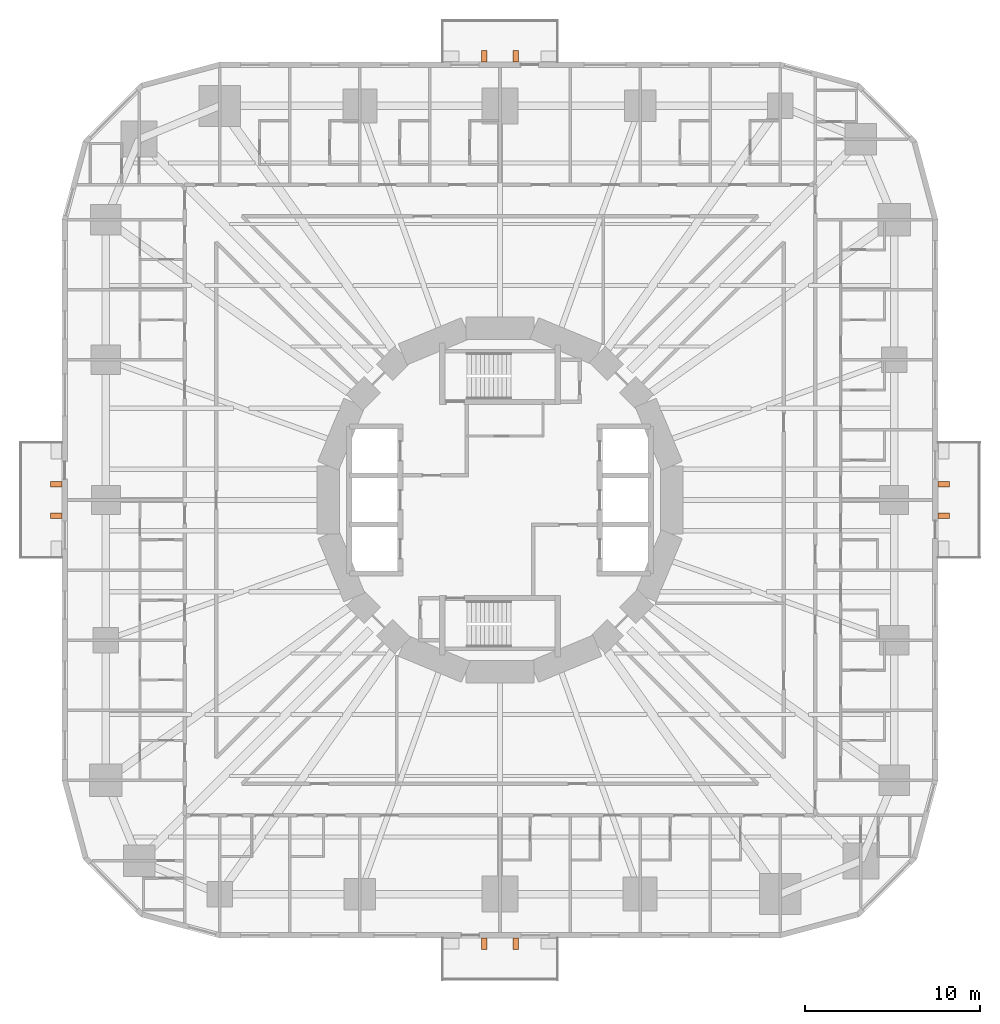
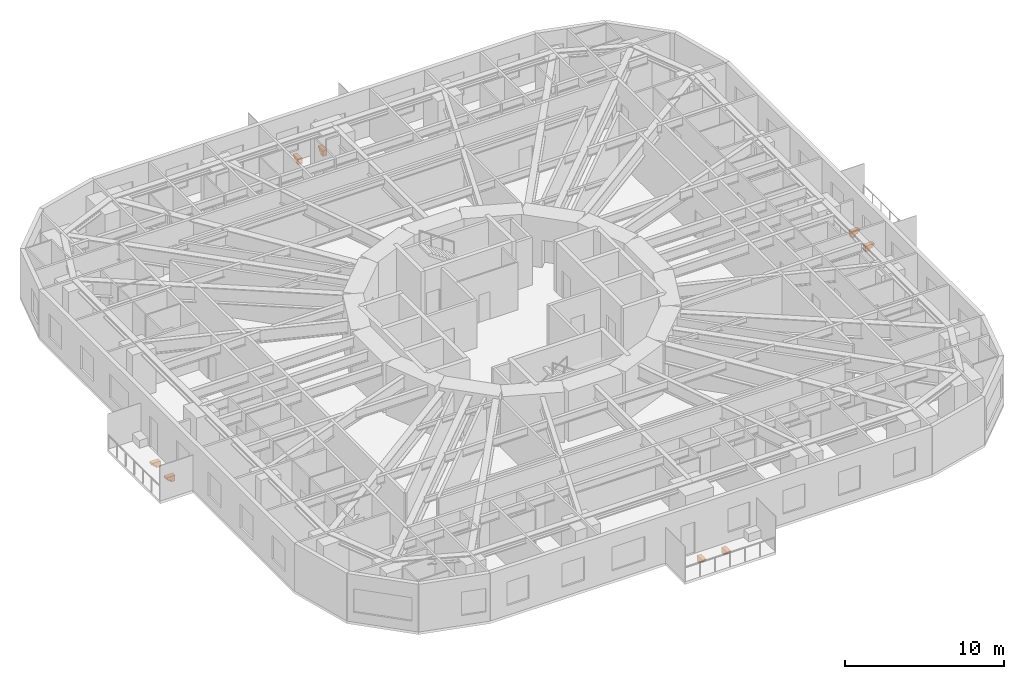
# One storey, part 14 of 14: 8 proxies.
"""IFC4 building model written with IfcOpenShell, lengths in metres."""

from ifc_helpers import new_model, si_unit, direction, frame, origin, place, context, subcontext, project, spatial, polyline, outline, extrude, material, type_object, element, save


model = new_model("IFC4")

# Units and contexts
model_context = context("Model", 3, precision=1e-05, world=origin(), true_north=direction((0.0, 1.0)))
body_context = subcontext(model_context, "Body", "Model", "MODEL_VIEW")
ifc_project = project(units=[si_unit("LENGTHUNIT", "METRE"), si_unit("AREAUNIT", "SQUARE_METRE"), si_unit("VOLUMEUNIT", "CUBIC_METRE"), si_unit("PLANEANGLEUNIT", "RADIAN"), si_unit("MASSUNIT", "GRAM", prefix="KILO")], contexts=[model_context])

# Site, building, storey
site_placement = place(None, origin())
site = spatial("IfcSite", under=ifc_project, at=site_placement, CompositionType="ELEMENT")
building_placement = place(site_placement, origin())
building = spatial("IfcBuilding", under=site, at=building_placement, Name="Nakasero Lantern House", CompositionType="ELEMENT")
storey_placement = place(building_placement, frame((0.0, 0.0, 50.64990234375)))
storey = spatial("IfcBuildingStorey", under=building, at=storey_placement, Name="L12", CompositionType="ELEMENT", Elevation=50.64990234375)

# Proxies
ifc_material = material(Name="Concrete C40/50 precast", Category="concrete")
building_element_proxy_type = type_object("IfcBuildingElementProxyType", Name="Balcony bracket 300", PredefinedType="USERDEFINED", material=ifc_material)
for number, where, z_axis, x_axis, name in (
    (1, (25.0, -0.89990234375, -0.199951171875), (0.0, 0.0, 1.0), (1.0, 0.0, 0.0), "Balcony bracket L12 0A"),
    (2, (25.0, 0.89990234375, -0.199951171875), (0.0, 0.0, 1.0), (1.0, 0.0, 0.0), "Balcony bracket L12 0B"),
    (3, (0.89990234375, 25.0, -0.199951171875), (0.0, 0.0, 1.0), (0.0, 1.0, 0.0), "Balcony bracket L12 1A"),
    (4, (-0.89990234375, 25.0, -0.199951171875), (0.0, 0.0, 1.0), (0.0, 1.0, 0.0), "Balcony bracket L12 1B"),
    (5, (-25.0, 0.89990234375, -0.199951171875), (0.0, 0.0, 1.0), (-1.0, 0.0, 0.0), "Balcony bracket L12 2A"),
    (6, (-25.0, -0.89990234375, -0.199951171875), (0.0, 0.0, 1.0), (-1.0, 0.0, 0.0), "Balcony bracket L12 2B"),
    (7, (-0.89990234375, -25.0, -0.199951171875), (0.0, 0.0, 1.0), (0.0, -1.0, 0.0), "Balcony bracket L12 3A"),
    (8, (0.89990234375, -25.0, -0.199951171875), (0.0, 0.0, 1.0), (0.0, -1.0, 0.0), "Balcony bracket L12 3B"),
):
    element("IfcBuildingElementProxy", number, at=place(storey_placement, frame(where, z_axis=z_axis, x_axis=x_axis)), inside=storey, type_object=building_element_proxy_type, Name=name, ObjectType="BALCONY BRACKET", PredefinedType="USERDEFINED", context=body_context, shape_type="SweptSolid", body=[
        extrude(outline(polyline([(0.0, 0.0), (0.64990234375, 0.0), (0.64990234375, -0.1201171875), (0.5, -0.1201171875), (0.5, -0.280029296875), (0.300048828125, -0.280029296875), (0.300048828125, -0.43994140625), (0.0, -0.43994140625), (0.0, 0.0)])), frame((0.0, 0.14990234375, 0.0), z_axis=(0.0, -1.0, 0.0), x_axis=(1.0, 0.0, 0.0)), (0.0, 0.0, 1.0), 0.300048828125),
    ])

save(model, "model.ifc")
